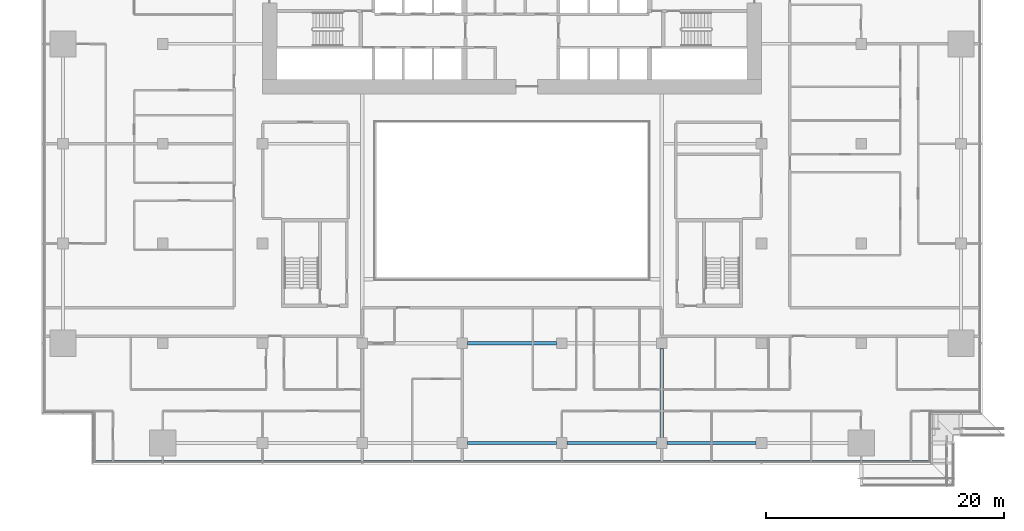
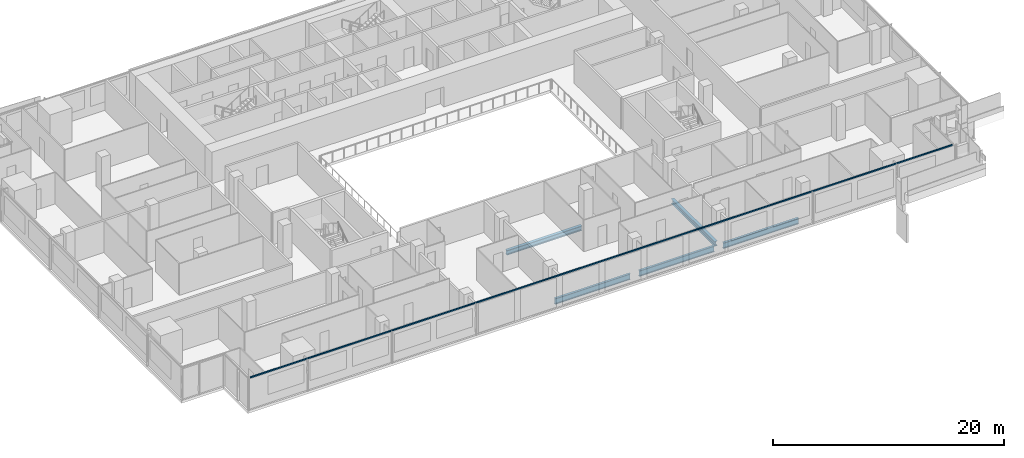
# One storey, part 7 of 30: 5 beams, 1 member, 1 element without a shape of its own.
"""IFC4 building model written with IfcOpenShell, lengths in metres."""

from ifc_helpers import new_model, si_unit, direction, frame, origin, origin_2d, place, context, subcontext, project, spatial, rectangle, i_section, extrude, material, material_profile, profile_set, type_object, element, aggregate, save


model = new_model("IFC4")

# Units and contexts
model_context = context("Model", 3, precision=1e-05, world=origin(), true_north=direction((0.0, 1.0)))
body_context = subcontext(model_context, "Body", "Model", "MODEL_VIEW")
ifc_project = project(units=[si_unit("LENGTHUNIT", "METRE"), si_unit("AREAUNIT", "SQUARE_METRE"), si_unit("VOLUMEUNIT", "CUBIC_METRE"), si_unit("PLANEANGLEUNIT", "RADIAN"), si_unit("MASSUNIT", "GRAM", prefix="KILO")], contexts=[model_context])

# Site, building, storey
site_placement = place(None, origin())
site = spatial("IfcSite", under=ifc_project, at=site_placement, CompositionType="ELEMENT")
building_placement = place(site_placement, origin())
building = spatial("IfcBuilding", under=site, at=building_placement, Name="Saffron Gate Tower", CompositionType="ELEMENT")
storey_placement = place(building_placement, frame((0.0, 0.0, 69.60009765625)))
storey = spatial("IfcBuildingStorey", under=building, at=storey_placement, Name="L16", CompositionType="ELEMENT", Elevation=69.60009765625)

# Beams
ifc_material_1 = material(Name="Structural steel S355", Category="steel")
ifc_material_profile_1 = material_profile(ifc_material_1, i_section(OverallWidth=0.219970703125, OverallDepth=0.60009765625, WebThickness=0.011962890625, FlangeThickness=0.01904296875, FilletRadius=0.02392578125, at=origin_2d()))
ifc_profile_set_1 = profile_set([ifc_material_profile_1], Name="Structural steel S355")
beam_type_1 = type_object("IfcBeamType", Name="B16 IPE 600", PredefinedType="SPANDREL", material=ifc_profile_set_1)
for number, where, z_axis, x_axis, name in (
    (1, (83.85009765625, 31.800048828125, -0.580078125), (1.0, 0.0, 0.0), (0.0, 1.0, 0.0), "B16 SPANDREL BEAM"),
    (2, (92.25, 31.800048828125, -0.580078125), (1.0, 0.0, 0.0), (0.0, 1.0, 0.0), "B16 SPANDREL BEAM"),
    (3, (100.64990234375, 31.800048828125, -0.580078125), (1.0, 0.0, 0.0), (0.0, 1.0, 0.0), "B16 SPANDREL BEAM"),
):
    element("IfcBeam", number, at=place(storey_placement, frame(where, z_axis=z_axis, x_axis=x_axis)), inside=storey, type_object=beam_type_1, Name=name, PredefinedType="SPANDREL", context=body_context, shape_type="SweptSolid", body=[
        extrude(i_section(OverallWidth=0.219970703125, OverallDepth=0.60009765625, WebThickness=0.011962890625, FlangeThickness=0.01904296875, FilletRadius=0.02392578125, at=origin_2d()), origin(), (0.0, 0.0, 1.0), 7.5),
    ])
ifc_material_profile_2 = material_profile(ifc_material_1, i_section(OverallWidth=0.300048828125, OverallDepth=0.489990234375, WebThickness=0.011962890625, FlangeThickness=0.02294921875, FilletRadius=0.027099609375, at=origin_2d()))
ifc_profile_set_2 = profile_set([ifc_material_profile_2], Name="Structural steel S355")
beam_type_2 = type_object("IfcBeamType", Name="B8 HEA 500", PredefinedType="BEAM", material=ifc_profile_set_2)
for number, where, z_axis, x_axis, name in (
    (4, (100.199951171875, 32.25, -0.525146484375), (0.0, 1.0, 0.0), (-1.0, 0.0, 0.0), "B8 FLOOR GIRDER"),
    (5, (83.85009765625, 40.199951171875, -0.525146484375), (1.0, 0.0, 0.0), (0.0, 1.0, 0.0), "B8 FLOOR GIRDER"),
):
    element("IfcBeam", number, at=place(storey_placement, frame(where, z_axis=z_axis, x_axis=x_axis)), inside=storey, type_object=beam_type_2, Name=name, PredefinedType="BEAM", context=body_context, shape_type="SweptSolid", body=[
        extrude(i_section(OverallWidth=0.300048828125, OverallDepth=0.489990234375, WebThickness=0.011962890625, FlangeThickness=0.02294921875, FilletRadius=0.027099609375, at=origin_2d()), origin(), (0.0, 0.0, 1.0), 7.5),
    ])

# Curtain wall, member
ifc_material_2 = material(Name="Aluminium, bronze anodised", Category="aluminium")
curtain_wall_type = type_object("IfcCurtainWallType", Name="CWS1 curtain wall front facade", PredefinedType="NOTDEFINED", material=ifc_material_2)
curtain_wall_placement = place(storey_placement, origin())
curtain_wall = element("IfcCurtainWall", 6, at=curtain_wall_placement, inside=storey, type_object=curtain_wall_type, Name="CWS1 run 1", PredefinedType="NOTDEFINED")
ifc_material_profile_3 = material_profile(ifc_material_2, rectangle(XDim=0.1201171875, YDim=0.1201171875, at=origin_2d()))
ifc_profile_set_3 = profile_set([ifc_material_profile_3], Name="Aluminium, bronze anodised")
member_type = type_object("IfcMemberType", Name="CWS1 head transom", PredefinedType="USERDEFINED", material=ifc_profile_set_3)
member_placement = place(storey_placement, frame((52.568115234375, 30.248046875, 3.260009765625), z_axis=(1.0, 0.0, 0.0), x_axis=(0.0, 1.0, 0.0)))
member = element("IfcMember", 7, at=member_placement, type_object=member_type, Name="CWS1 head transom", ObjectType="TRANSOM", PredefinedType="USERDEFINED", context=body_context, shape_type="SweptSolid", body=[
    extrude(rectangle(XDim=0.1201171875, YDim=0.1201171875, at=origin_2d()), origin(), (0.0, 0.0, 1.0), 70.06396484375),
])
aggregate(curtain_wall, [member])

save(model, "model.ifc")
